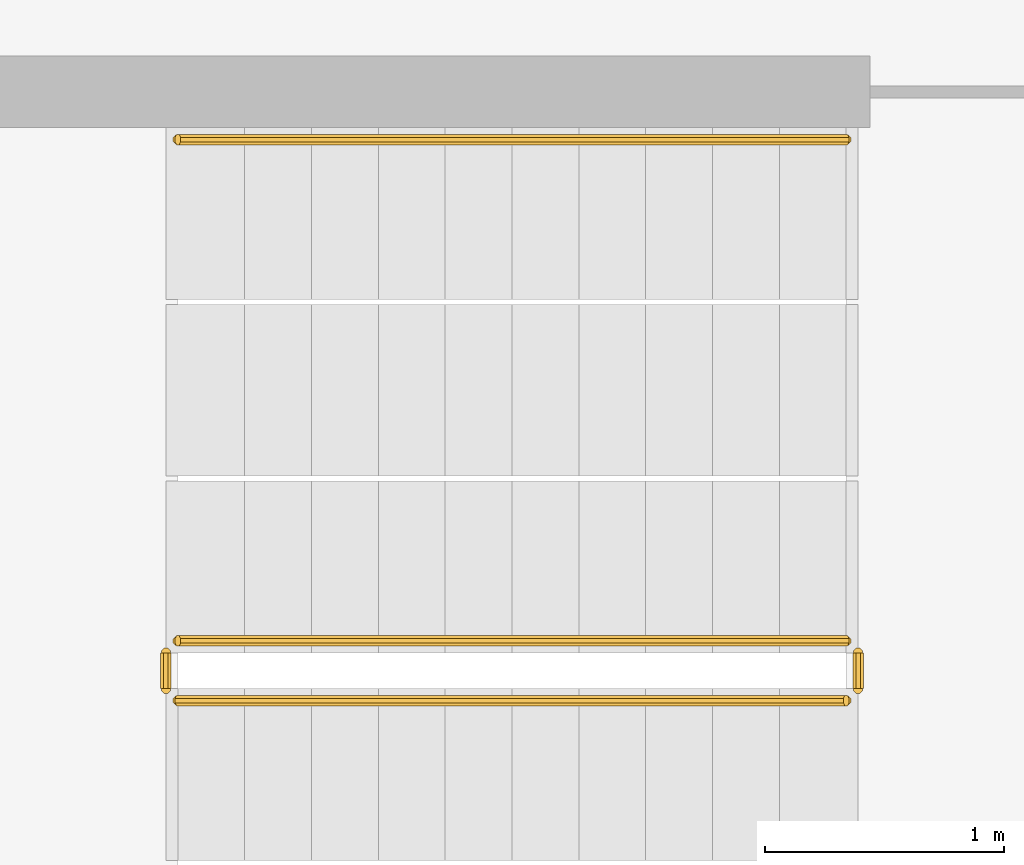
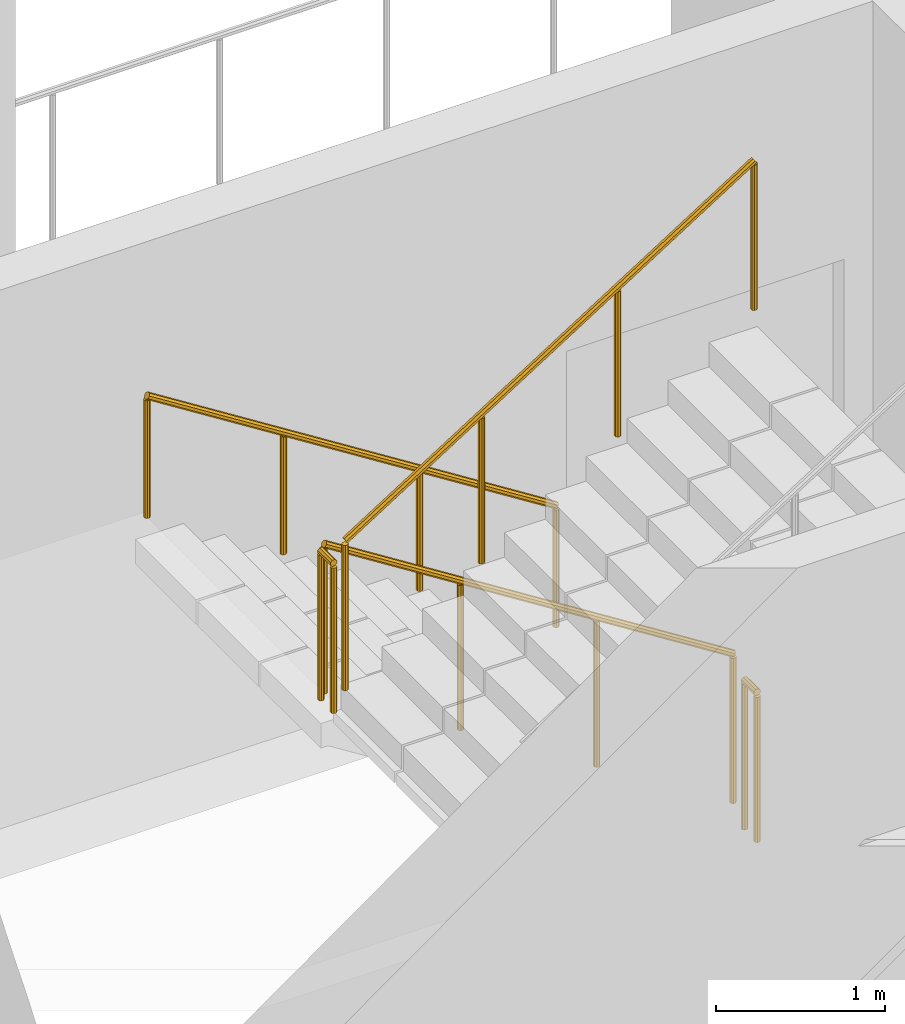
# One storey, part 20 of 27: 5 railings.
"""IFC4 building model written with IfcOpenShell, lengths in metres."""

from ifc_helpers import new_model, si_unit, direction, frame, origin, place, context, subcontext, project, spatial, polyline, outline, extrude, material, type_object, element, save


model = new_model("IFC4")

# Units and contexts
model_context = context("Model", 3, precision=1e-05, world=origin(), true_north=direction((0.0, 1.0)))
body_context = subcontext(model_context, "Body", "Model", "MODEL_VIEW")
ifc_project = project(units=[si_unit("LENGTHUNIT", "METRE"), si_unit("AREAUNIT", "SQUARE_METRE"), si_unit("VOLUMEUNIT", "CUBIC_METRE"), si_unit("PLANEANGLEUNIT", "RADIAN"), si_unit("MASSUNIT", "GRAM", prefix="KILO")], contexts=[model_context])

# Site, building, storey
site_placement = place(None, origin())
site = spatial("IfcSite", under=ifc_project, at=site_placement, CompositionType="ELEMENT")
building_placement = place(site_placement, origin())
building = spatial("IfcBuilding", under=site, at=building_placement, Name="Cormorant Relay Tower", CompositionType="ELEMENT")
storey_placement = place(building_placement, frame((0.0, 0.0, 216.89990234375)))
storey = spatial("IfcBuildingStorey", under=building, at=storey_placement, Name="L47", CompositionType="ELEMENT", Elevation=216.89990234375)

# Railings
ifc_material_1 = material(Name="Steel ASTM A572 Grade 50 (Fy 345 MPa)", Category="steel")
railing_type_1 = type_object("IfcRailingType", Name="Stair guard 1100", PredefinedType="GUARDRAIL", material=ifc_material_1)
railing_1_placement = place(storey_placement, frame((1.60009765625, -18.27490234375, 0.177490234375)))
element("IfcRailing", 1, at=railing_1_placement, inside=storey, type_object=railing_type_1, Name="L47 RK1 stair guard 1", PredefinedType="GUARDRAIL", context=body_context, shape_type="SweptSolid", body=[
    extrude(outline(polyline([(0.022216796875, 0.00927734375), (0.00927734375, 0.022216796875), (-0.00927734375, 0.022216796875), (-0.022216796875, 0.00927734375), (-0.022216796875, -0.00927734375), (-0.00927734375, -0.022216796875), (0.00927734375, -0.022216796875), (0.022216796875, -0.00927734375), (0.022216796875, 0.00927734375)])), frame((0.0, 0.0, 1.076171875), z_axis=(-0.844908973607, 0.0, 0.534910110503), x_axis=(0.0, -1.0, 0.0)), (0.0, 0.0, 1.0), 3.31396484375),
    extrude(outline(polyline([(0.019287109375, 0.008056640625), (0.008056640625, 0.019287109375), (-0.008056640625, 0.019287109375), (-0.019287109375, 0.008056640625), (-0.019287109375, -0.008056640625), (-0.008056640625, -0.019287109375), (0.008056640625, -0.019287109375), (0.019287109375, -0.008056640625), (0.019287109375, 0.008056640625)])), origin(), (0.0, 0.0, 1.0), 1.052001953125),
    extrude(outline(polyline([(0.019287109375, 0.008056640625), (0.008056640625, 0.019287109375), (-0.008056640625, 0.019287109375), (-0.019287109375, 0.008056640625), (-0.019287109375, -0.008056640625), (-0.008056640625, -0.019287109375), (0.008056640625, -0.019287109375), (0.019287109375, -0.008056640625), (0.019287109375, 0.008056640625)])), frame((-0.933349609375, 0.0, 0.5908203125)), (0.0, 0.0, 1.0), 1.052001953125),
    extrude(outline(polyline([(0.019287109375, 0.008056640625), (0.008056640625, 0.019287109375), (-0.008056640625, 0.019287109375), (-0.019287109375, 0.008056640625), (-0.019287109375, -0.008056640625), (-0.008056640625, -0.019287109375), (0.008056640625, -0.019287109375), (0.019287109375, -0.008056640625), (0.019287109375, 0.008056640625)])), frame((-1.86669921875, 0.0, 1.181884765625)), (0.0, 0.0, 1.0), 1.052001953125),
    extrude(outline(polyline([(0.019287109375, 0.008056640625), (0.008056640625, 0.019287109375), (-0.008056640625, 0.019287109375), (-0.019287109375, 0.008056640625), (-0.019287109375, -0.008056640625), (-0.008056640625, -0.019287109375), (0.008056640625, -0.019287109375), (0.019287109375, -0.008056640625), (0.019287109375, 0.008056640625)])), frame((-2.800048828125, 0.0, 1.772705078125)), (0.0, 0.0, 1.0), 1.052001953125),
])
railing_2_placement = place(storey_placement, frame((-1.25, -18.324951171875, 1.9501953125)))
element("IfcRailing", 2, at=railing_2_placement, inside=storey, type_object=railing_type_1, Name="L47 RK1 stair guard 2", PredefinedType="GUARDRAIL", context=body_context, shape_type="SweptSolid", body=[
    extrude(outline(polyline([(0.022216796875, 0.00927734375), (0.00927734375, 0.022216796875), (-0.00927734375, 0.022216796875), (-0.022216796875, 0.00927734375), (-0.022216796875, -0.00927734375), (-0.00927734375, -0.022216796875), (0.00927734375, -0.022216796875), (0.022216796875, -0.00927734375), (0.022216796875, 0.00927734375)])), frame((0.0, 0.0, 1.076171875), z_axis=(0.0, -1.0, 0.0), x_axis=(1.0, 0.0, 0.0)), (0.0, 0.0, 1.0), 0.150146484375),
    extrude(outline(polyline([(0.019287109375, 0.008056640625), (0.008056640625, 0.019287109375), (-0.008056640625, 0.019287109375), (-0.019287109375, 0.008056640625), (-0.019287109375, -0.008056640625), (-0.008056640625, -0.019287109375), (0.008056640625, -0.019287109375), (0.019287109375, -0.008056640625), (0.019287109375, 0.008056640625)])), origin(), (0.0, 0.0, 1.0), 1.052001953125),
    extrude(outline(polyline([(0.019287109375, 0.008056640625), (0.008056640625, 0.019287109375), (-0.008056640625, 0.019287109375), (-0.019287109375, 0.008056640625), (-0.019287109375, -0.008056640625), (-0.008056640625, -0.019287109375), (0.008056640625, -0.019287109375), (0.019287109375, -0.008056640625), (0.019287109375, 0.008056640625)])), frame((0.0, -0.150146484375, 0.0)), (0.0, 0.0, 1.0), 1.052001953125),
])
railing_3_placement = place(storey_placement, frame((-1.199951171875, -18.52490234375, 2.12744140625)))
element("IfcRailing", 3, at=railing_3_placement, inside=storey, type_object=railing_type_1, Name="L47 RK1 stair guard 3", PredefinedType="GUARDRAIL", context=body_context, shape_type="SweptSolid", body=[
    extrude(outline(polyline([(0.022216796875, 0.00927734375), (0.00927734375, 0.022216796875), (-0.00927734375, 0.022216796875), (-0.022216796875, 0.00927734375), (-0.022216796875, -0.00927734375), (-0.00927734375, -0.022216796875), (0.00927734375, -0.022216796875), (0.022216796875, -0.00927734375), (0.022216796875, 0.00927734375)])), frame((0.0, 0.0, 1.076171875), z_axis=(0.844908973607, 0.0, 0.534910110503), x_axis=(0.0, 1.0, 0.0)), (0.0, 0.0, 1.0), 3.31396484375),
    extrude(outline(polyline([(0.019287109375, 0.008056640625), (0.008056640625, 0.019287109375), (-0.008056640625, 0.019287109375), (-0.019287109375, 0.008056640625), (-0.019287109375, -0.008056640625), (-0.008056640625, -0.019287109375), (0.008056640625, -0.019287109375), (0.019287109375, -0.008056640625), (0.019287109375, 0.008056640625)])), origin(), (0.0, 0.0, 1.0), 1.052001953125),
    extrude(outline(polyline([(0.019287109375, 0.008056640625), (0.008056640625, 0.019287109375), (-0.008056640625, 0.019287109375), (-0.019287109375, 0.008056640625), (-0.019287109375, -0.008056640625), (-0.008056640625, -0.019287109375), (0.008056640625, -0.019287109375), (0.019287109375, -0.008056640625), (0.019287109375, 0.008056640625)])), frame((0.933349609375, 0.0, 0.5908203125)), (0.0, 0.0, 1.0), 1.052001953125),
    extrude(outline(polyline([(0.019287109375, 0.008056640625), (0.008056640625, 0.019287109375), (-0.008056640625, 0.019287109375), (-0.019287109375, 0.008056640625), (-0.019287109375, -0.008056640625), (-0.008056640625, -0.019287109375), (0.008056640625, -0.019287109375), (0.019287109375, -0.008056640625), (0.019287109375, 0.008056640625)])), frame((1.86669921875, 0.0, 1.181884765625)), (0.0, 0.0, 1.0), 1.052001953125),
    extrude(outline(polyline([(0.019287109375, 0.008056640625), (0.008056640625, 0.019287109375), (-0.008056640625, 0.019287109375), (-0.019287109375, 0.008056640625), (-0.019287109375, -0.008056640625), (-0.008056640625, -0.019287109375), (0.008056640625, -0.019287109375), (0.019287109375, -0.008056640625), (0.019287109375, 0.008056640625)])), frame((2.800048828125, 0.0, 1.772705078125)), (0.0, 0.0, 1.0), 1.052001953125),
])
railing_4_placement = place(storey_placement, frame((1.64990234375, -18.324951171875, 0.0)))
element("IfcRailing", 4, at=railing_4_placement, inside=storey, type_object=railing_type_1, Name="L47 RK1 stair guard 4", PredefinedType="GUARDRAIL", context=body_context, shape_type="SweptSolid", body=[
    extrude(outline(polyline([(0.022216796875, 0.00927734375), (0.00927734375, 0.022216796875), (-0.00927734375, 0.022216796875), (-0.022216796875, 0.00927734375), (-0.022216796875, -0.00927734375), (-0.00927734375, -0.022216796875), (0.00927734375, -0.022216796875), (0.022216796875, -0.00927734375), (0.022216796875, 0.00927734375)])), frame((0.0, 0.0, 1.076171875), z_axis=(0.0, -1.0, 0.0), x_axis=(1.0, 0.0, 0.0)), (0.0, 0.0, 1.0), 0.150146484375),
    extrude(outline(polyline([(0.019287109375, 0.008056640625), (0.008056640625, 0.019287109375), (-0.008056640625, 0.019287109375), (-0.019287109375, 0.008056640625), (-0.019287109375, -0.008056640625), (-0.008056640625, -0.019287109375), (0.008056640625, -0.019287109375), (0.019287109375, -0.008056640625), (0.019287109375, 0.008056640625)])), origin(), (0.0, 0.0, 1.0), 1.052001953125),
    extrude(outline(polyline([(0.019287109375, 0.008056640625), (0.008056640625, 0.019287109375), (-0.008056640625, 0.019287109375), (-0.019287109375, 0.008056640625), (-0.019287109375, -0.008056640625), (-0.008056640625, -0.019287109375), (0.008056640625, -0.019287109375), (0.019287109375, -0.008056640625), (0.019287109375, 0.008056640625)])), frame((0.0, -0.150146484375, 0.0)), (0.0, 0.0, 1.0), 1.052001953125),
])
ifc_material_2 = material(Name="Steel ASTM A572 Grade 50 (Fy 345 MPa)", Category="steel")
railing_type_2 = type_object("IfcRailingType", Name="Stair handrail 900", PredefinedType="HANDRAIL", material=ifc_material_2)
railing_5_placement = place(storey_placement, frame((1.60009765625, -16.175048828125, 0.177490234375)))
element("IfcRailing", 5, at=railing_5_placement, inside=storey, type_object=railing_type_2, Name="L47 RK1 stair handrail 1", PredefinedType="HANDRAIL", context=body_context, shape_type="SweptSolid", body=[
    extrude(outline(polyline([(0.022216796875, 0.00927734375), (0.00927734375, 0.022216796875), (-0.00927734375, 0.022216796875), (-0.022216796875, 0.00927734375), (-0.022216796875, -0.00927734375), (-0.00927734375, -0.022216796875), (0.00927734375, -0.022216796875), (0.022216796875, -0.00927734375), (0.022216796875, 0.00927734375)])), frame((0.0, 0.0, 0.8759765625), z_axis=(-0.844908973607, 0.0, 0.534910110503), x_axis=(0.0, -1.0, 0.0)), (0.0, 0.0, 1.0), 3.31396484375),
    extrude(outline(polyline([(0.019287109375, 0.008056640625), (0.008056640625, 0.019287109375), (-0.008056640625, 0.019287109375), (-0.019287109375, 0.008056640625), (-0.019287109375, -0.008056640625), (-0.008056640625, -0.019287109375), (0.008056640625, -0.019287109375), (0.019287109375, -0.008056640625), (0.019287109375, 0.008056640625)])), origin(), (0.0, 0.0, 1.0), 0.851806640625),
    extrude(outline(polyline([(0.019287109375, 0.008056640625), (0.008056640625, 0.019287109375), (-0.008056640625, 0.019287109375), (-0.019287109375, 0.008056640625), (-0.019287109375, -0.008056640625), (-0.008056640625, -0.019287109375), (0.008056640625, -0.019287109375), (0.019287109375, -0.008056640625), (0.019287109375, 0.008056640625)])), frame((-0.933349609375, 0.0, 0.5908203125)), (0.0, 0.0, 1.0), 0.851806640625),
    extrude(outline(polyline([(0.019287109375, 0.008056640625), (0.008056640625, 0.019287109375), (-0.008056640625, 0.019287109375), (-0.019287109375, 0.008056640625), (-0.019287109375, -0.008056640625), (-0.008056640625, -0.019287109375), (0.008056640625, -0.019287109375), (0.019287109375, -0.008056640625), (0.019287109375, 0.008056640625)])), frame((-1.86669921875, 0.0, 1.181884765625)), (0.0, 0.0, 1.0), 0.851806640625),
    extrude(outline(polyline([(0.019287109375, 0.008056640625), (0.008056640625, 0.019287109375), (-0.008056640625, 0.019287109375), (-0.019287109375, 0.008056640625), (-0.019287109375, -0.008056640625), (-0.008056640625, -0.019287109375), (0.008056640625, -0.019287109375), (0.019287109375, -0.008056640625), (0.019287109375, 0.008056640625)])), frame((-2.800048828125, 0.0, 1.772705078125)), (0.0, 0.0, 1.0), 0.851806640625),
])

save(model, "model.ifc")
